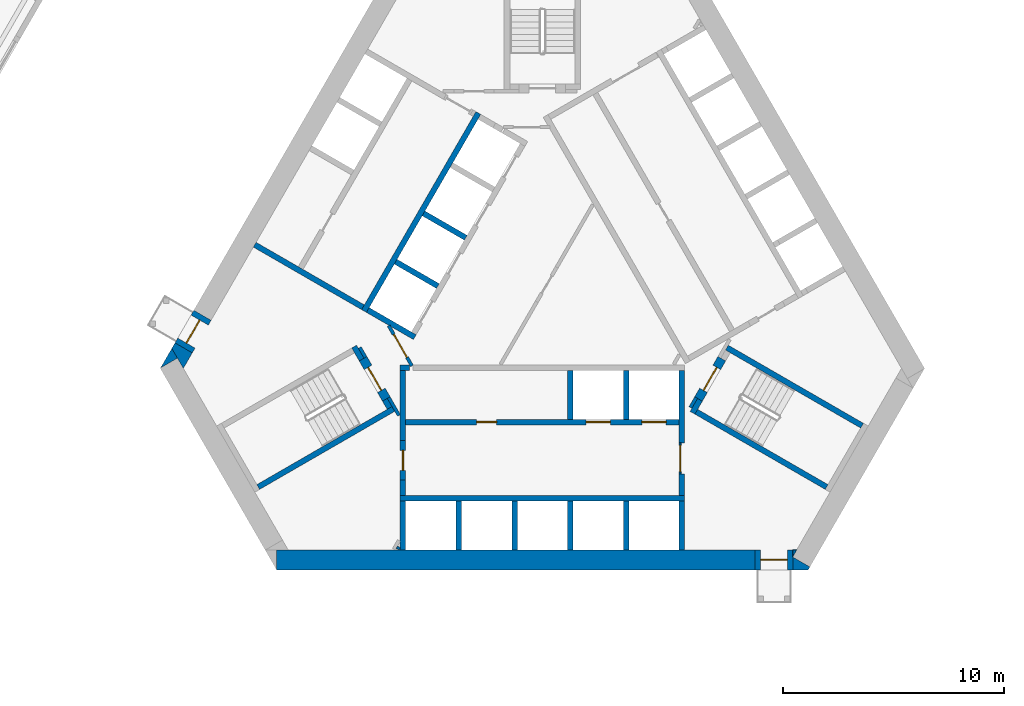
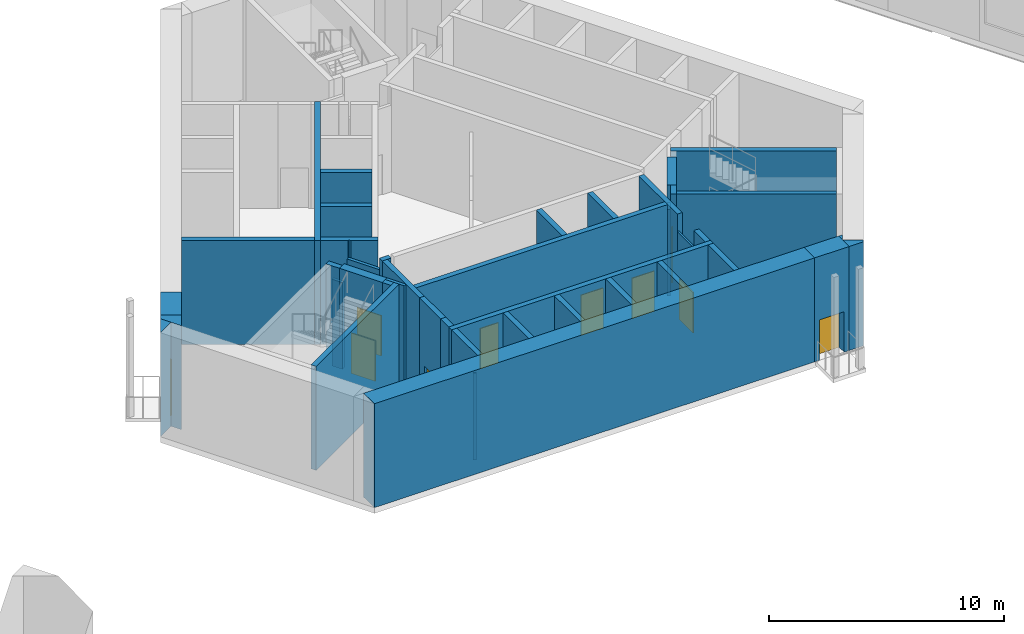
# One storey, part 12 of 35: 42 walls, 10 doors, 10 openings.
"""IFC4 building model written with IfcOpenShell, lengths in metres."""

import ifcopenshell
import ifcopenshell.guid

model = None  # the IFC model being written
_history = None  # IfcOwnerHistory: only IFC2X3 demands one
_inside = {}  # id of a spatial element -> (the spatial element, [elements in it])
_under = {}  # id of a project, library or spatial element -> (it, [spatial elements below it])
_declared = {}  # id of a project -> (the project, [libraries it declares])
_typed = {}  # id of a type object -> (the type object, [elements of that type])
_made_of = {}  # id of a material, layer set ... -> (it, [elements and type objects made of it])


def new_model(schema):
    """Start an empty IFC model of exactly this schema.

    Asked for "IFC4X3", IfcOpenShell would pick the latest addendum, in which some entities
    have other attributes; the version numbers below select the first issue.
    IFC2X3 requires an IfcOwnerHistory on every rooted entity: one is made here for all.
    """
    global model, _history
    if schema == "IFC4X3":
        model = ifcopenshell.file(schema_version=(4, 3, 0, 0))
    else:
        model = ifcopenshell.file(schema=schema)
    _inside.clear()
    _under.clear()
    _declared.clear()
    _typed.clear()
    _made_of.clear()
    _history = None
    if model.schema == "IFC2X3":
        org = make("IfcOrganization", Name="unknown")
        user = make(
            "IfcPersonAndOrganization",
            ThePerson=make("IfcPerson", FamilyName="unknown"),
            TheOrganization=org,
        )
        app = make(
            "IfcApplication",
            ApplicationDeveloper=org,
            Version="unknown",
            ApplicationFullName="unknown",
            ApplicationIdentifier="unknown",
        )
        _history = make(
            "IfcOwnerHistory",
            OwningUser=user,
            OwningApplication=app,
            ChangeAction="ADDED",
            CreationDate=0,
        )
    return model


def make(cls, **values):
    """One entity of the class cls with the attributes given. An attribute that is None is left unset."""
    return model.create_entity(
        cls, **{name: value for name, value in values.items() if value is not None}
    )


def rooted(cls, **values):
    """An entity with a GlobalId (a new one), such as an element, a storey or a relation."""
    return make(cls, GlobalId=ifcopenshell.guid.new(), OwnerHistory=_history, **values)


def si_unit(unit_type, name, prefix=None):
    """IfcSIUnit, for example si_unit("LENGTHUNIT", "METRE", prefix="MILLI")."""
    return make("IfcSIUnit", UnitType=unit_type, Prefix=prefix, Name=name)


def assignment(units):
    """IfcUnitAssignment: the units of a project."""
    return None if units is None else make("IfcUnitAssignment", Units=units)


def point(xyz):
    """IfcCartesianPoint."""
    return None if xyz is None else make("IfcCartesianPoint", Coordinates=xyz)


def direction(xyz):
    """IfcDirection."""
    return None if xyz is None else make("IfcDirection", DirectionRatios=xyz)


def frame(location, z_axis=None, x_axis=None):
    """IfcAxis2Placement3D, a coordinate frame: its origin and axes. An axis left out is left unset."""
    return make(
        "IfcAxis2Placement3D",
        Location=point(location),
        Axis=direction(z_axis),
        RefDirection=direction(x_axis),
    )


def frame_2d(location, x_axis=None):
    """IfcAxis2Placement2D, a coordinate frame in the plane: its origin and x axis."""
    return make(
        "IfcAxis2Placement2D", Location=point(location), RefDirection=direction(x_axis)
    )


def origin():
    """The frame at (0, 0, 0) with its axes left unset."""
    return frame((0.0, 0.0, 0.0))


def place(relative_to, where):
    """IfcLocalPlacement: puts the frame where relative to a parent placement (None: the world)."""
    return make(
        "IfcLocalPlacement", PlacementRelTo=relative_to, RelativePlacement=where
    )


def context(
    kind, dimensions, precision=None, world=None, true_north=None, identifier=None
):
    """IfcGeometricRepresentationContext, for example the 3D "Model" context."""
    return make(
        "IfcGeometricRepresentationContext",
        ContextIdentifier=identifier,
        ContextType=kind,
        CoordinateSpaceDimension=dimensions,
        Precision=precision,
        WorldCoordinateSystem=world,
        TrueNorth=true_north,
    )


def subcontext(parent, identifier, kind, view, scale=None):
    """IfcGeometricRepresentationSubContext, for example "Body" below "Model"."""
    return make(
        "IfcGeometricRepresentationSubContext",
        ContextIdentifier=identifier,
        ContextType=kind,
        ParentContext=parent,
        TargetScale=scale,
        TargetView=view,
    )


def project(units=None, contexts=None):
    """IfcProject with its units and contexts."""
    return rooted(
        "IfcProject",
        Name="project",
        RepresentationContexts=contexts,
        UnitsInContext=assignment(units),
    )


def spatial(cls, under=None, at=None, **own):
    """A site, building, storey or space (cls), placed at a placement, below another one or the project."""
    s = rooted(cls, ObjectPlacement=at, **own)
    if under is not None:
        _under.setdefault(under.id(), (under, []))[1].append(s)
    return s


def polyline(points):
    """IfcPolyline through the points."""
    return make("IfcPolyline", Points=[point(p) for p in points])


def profile(cls, at=None, kind="AREA", **sizes):
    """A parametric profile (cls). Its sizes go by their IFC names, for example OverallWidth=200.0."""
    return make(cls, ProfileType=kind, Position=at, **sizes)


def rectangle(**sizes):
    """IfcRectangleProfileDef."""
    return profile("IfcRectangleProfileDef", **sizes)


def outline(outer, holes=None, kind="AREA"):
    """IfcArbitraryClosedProfileDef: a profile drawn as a closed curve; with holes, ...WithVoids."""
    if holes is None:
        return make("IfcArbitraryClosedProfileDef", ProfileType=kind, OuterCurve=outer)
    return make(
        "IfcArbitraryProfileDefWithVoids",
        ProfileType=kind,
        OuterCurve=outer,
        InnerCurves=holes,
    )


def extrude(swept, where, along, depth):
    """IfcExtrudedAreaSolid: the profile swept, set in the frame where, extruded along a direction by depth."""
    return make(
        "IfcExtrudedAreaSolid",
        SweptArea=swept,
        Position=where,
        ExtrudedDirection=direction(along),
        Depth=depth,
    )


def shape(context_of_items, identifier, shape_type, items):
    """IfcShapeRepresentation: the items that make up one representation, for example the "Body"."""
    return make(
        "IfcShapeRepresentation",
        ContextOfItems=context_of_items,
        RepresentationIdentifier=identifier,
        RepresentationType=shape_type,
        Items=items,
    )


def material(Name=None, Category=None):
    """IfcMaterial."""
    return make("IfcMaterial", Name=Name, Category=Category)


def layer(
    of_material, thickness, ventilated=None, Name=None, Category=None, Priority=None
):
    """IfcMaterialLayer: one layer of a wall or slab, of a material (None: an air gap)."""
    return make(
        "IfcMaterialLayer",
        Material=of_material,
        LayerThickness=thickness,
        IsVentilated=ventilated,
        Name=Name,
        Category=Category,
        Priority=Priority,
    )


def layer_set(layers, Name=None):
    """IfcMaterialLayerSet."""
    return make("IfcMaterialLayerSet", MaterialLayers=layers, LayerSetName=Name)


def made_of(thing, what):
    """Note that an element or type object is made of a material, layer set ...; save() writes the relation."""
    if what is not None:
        _made_of.setdefault(what.id(), (what, []))[1].append(thing)
    return thing


def type_object(cls, material=None, **own):
    """A type object (cls), such as IfcWallType, which elements share."""
    return made_of(rooted(cls, **own), material)


def element(
    cls,
    number,
    at=None,
    inside=None,
    cuts=None,
    type_object=None,
    material=None,
    context=None,
    identifier="Body",
    shape_type=None,
    held_by="IfcProductDefinitionShape",
    body=None,
    shapes=None,
    **own,
):
    """One element of the class cls, such as IfcWall. Its Tag is "e" and its number.

    at: its placement. inside: the storey or other place that contains it. cuts: it is an
    opening in that element (IfcRelVoidsElement). A single representation is given by context,
    identifier, shape_type and body (its items); several are given by shapes. held_by: the class
    of the entity that holds the representations. save() writes the other relations.
    """
    e = rooted(cls, Tag="e%d" % number, ObjectPlacement=at, **own)
    if body is not None:
        shapes = [shape(context, identifier, shape_type, body)]
    if shapes is not None:
        e.Representation = make(held_by, Representations=shapes)
    if inside is not None:
        _inside.setdefault(inside.id(), (inside, []))[1].append(e)
    if cuts is not None:
        rooted(
            "IfcRelVoidsElement", RelatingBuildingElement=cuts, RelatedOpeningElement=e
        )
    if type_object is not None:
        _typed.setdefault(type_object.id(), (type_object, []))[1].append(e)
    return made_of(e, material)


def fill(opening, filler):
    """IfcRelFillsElement: the door or window that sits in an opening."""
    return rooted(
        "IfcRelFillsElement",
        RelatingOpeningElement=opening,
        RelatedBuildingElement=filler,
    )


def aggregate(whole, parts):
    """IfcRelAggregates: a whole, such as a stair, and the parts it consists of."""
    return rooted("IfcRelAggregates", RelatingObject=whole, RelatedObjects=parts)


def save(model, path):
    """Write the relations noted so far, then the file.

    IfcRelAggregates (storeys below a building ...), IfcRelContainedInSpatialStructure (elements
    in a storey), IfcRelDefinesByType, IfcRelAssociatesMaterial and IfcRelDeclares: one each for
    every whole, place, type object, material and project.
    """
    for whole, parts in _under.values():
        aggregate(whole, parts)
    for where, things in _inside.values():
        rooted(
            "IfcRelContainedInSpatialStructure",
            RelatedElements=things,
            RelatingStructure=where,
        )
    for kind, things in _typed.values():
        rooted("IfcRelDefinesByType", RelatedObjects=things, RelatingType=kind)
    for what, things in _made_of.values():
        rooted("IfcRelAssociatesMaterial", RelatedObjects=things, RelatingMaterial=what)
    for by, libraries in _declared.values():
        rooted("IfcRelDeclares", RelatingContext=by, RelatedDefinitions=libraries)
    model.write(path)


model = new_model("IFC4")

# Units and contexts
model_context = context("Model", 3, precision=1e-05, world=origin(), true_north=direction((0.0, 1.0)))
body_context = subcontext(model_context, "Body", "Model", "MODEL_VIEW")
ifc_project = project(units=[si_unit("LENGTHUNIT", "METRE"), si_unit("AREAUNIT", "SQUARE_METRE"), si_unit("VOLUMEUNIT", "CUBIC_METRE"), si_unit("PLANEANGLEUNIT", "RADIAN"), si_unit("MASSUNIT", "GRAM", prefix="KILO")], contexts=[model_context])

# Site, building, storey
site_placement = place(None, origin())
site = spatial("IfcSite", under=ifc_project, at=site_placement, CompositionType="ELEMENT")
building_placement = place(site_placement, origin())
building = spatial("IfcBuilding", under=site, at=building_placement, Name="Mestral Congress Tower", CompositionType="ELEMENT")
storey_placement = place(building_placement, frame((0.0, 0.0, 6.0)))
storey = spatial("IfcBuildingStorey", under=building, at=storey_placement, Name="L01", CompositionType="ELEMENT", Elevation=6.0)

# Walls
ifc_material_1 = material(Name="Fire-rated board partition")
ifc_layer_1 = layer(ifc_material_1, 0.14990234375)
ifc_layer_set_1 = layer_set([ifc_layer_1], Name="Fire-rated board partition")
wall_type_1 = type_object("IfcWallType", Name="Core partition 150", PredefinedType="PARTITIONING", material=ifc_layer_set_1)
wall_1_placement = place(storey_placement, frame((-6.534423828125, -12.068115234375, 0.0), z_axis=(0.0, 0.0, 1.0), x_axis=(0.500240224089, 0.865886665912, 0.0)))
element("IfcWall", 1, at=wall_1_placement, inside=storey, type_object=wall_type_1, Name="L01 core wall", PredefinedType="PARTITIONING", context=body_context, shape_type="SweptSolid", body=[
    extrude(rectangle(XDim=0.10888671875, YDim=0.14990234375, at=frame_2d((0.054443359375, 0.0))), origin(), (0.0, 0.0, 1.0), 4.5),
])
for number, where, z_axis, x_axis, name in (
    (2, (-8.251953125, -2.958251953125, 0.0), (0.0, 0.0, 1.0), (0.500174715838, -0.865924508047, 0.0), "L01 core wall"),
    (3, (6.94482421875, -5.22216796875, 0.0), (0.0, 0.0, 1.0), (-0.499818422106, -0.866130212453, 0.0), "L01 core wall"),
):
    element("IfcWall", number, at=place(storey_placement, frame(where, z_axis=z_axis, x_axis=x_axis)), inside=storey, type_object=wall_type_1, Name=name, PredefinedType="PARTITIONING", context=body_context, shape_type="SweptSolid", body=[
        extrude(rectangle(XDim=0.513916015625, YDim=0.14990234375, at=frame_2d((0.2568359375, 0.0))), origin(), (0.0, 0.0, 1.0), 4.5),
    ])

# Wall, opening, door
wall_2_placement = place(storey_placement, frame((-5.89501953125, -3.789794921875, 0.0), z_axis=(0.0, 0.0, 1.0), x_axis=(-0.49994051562, 0.866059744384, 0.0)))
wall_2 = element("IfcWall", 4, at=wall_2_placement, inside=storey, type_object=wall_type_1, Name="L01 door wall", PredefinedType="PARTITIONING", context=body_context, shape_type="SweptSolid", body=[
    extrude(rectangle(XDim=2.099853515625, YDim=0.14990234375, at=frame_2d((1.0498046875, 0.0))), origin(), (0.0, 0.0, 1.0), 4.5),
])
opening_1_placement = place(wall_2_placement, frame((0.449951171875, 0.0, 0.0)))
opening_1 = element("IfcOpeningElement", 5, at=opening_1_placement, cuts=wall_2, Name="Opening CD3-FF", PredefinedType="OPENING", context=body_context, shape_type="SweptSolid", body=[
    extrude(rectangle(XDim=1.199951171875, YDim=2.10009765625, at=frame_2d((0.60009765625, 1.050048828125))), frame((0.0, 0.0849609375, 0.0), z_axis=(0.0, -1.0, 0.0), x_axis=(1.0, 0.0, 0.0)), (0.0, 0.0, 1.0), 0.169921875),
])
ifc_material_2 = material(Name="Fire-rated steel door set", Category="steel")
door_type_1 = type_object("IfcDoorType", Name="Core door CD 1200x2100", OperationType="SINGLE_SWING_LEFT", PredefinedType="DOOR", material=ifc_material_2)
door_1_placement = place(opening_1_placement, origin())
door_1 = element("IfcDoor", 6, at=door_1_placement, inside=storey, type_object=door_type_1, Name="Door CD3-FF", OperationType="SINGLE_SWING_LEFT", OverallHeight=2.10009765625, OverallWidth=1.199951171875, PredefinedType="DOOR", context=body_context, shape_type="SweptSolid", body=[
    extrude(rectangle(XDim=1.199951171875, YDim=2.10009765625, at=frame_2d((0.60009765625, 1.050048828125))), frame((0.0, 0.02490234375, 0.0), z_axis=(0.0, -1.0, 0.0), x_axis=(1.0, 0.0, 0.0)), (0.0, 0.0, 1.0), 0.050048828125),
])
fill(opening_1, door_1)

ifc_layer_2 = layer(ifc_material_1, 0.090087890625)
ifc_layer_set_2 = layer_set([ifc_layer_2], Name="Fire-rated board partition")
wall_type_2 = type_object("IfcWallType", Name="Core partition 150 door-wall 90", PredefinedType="PARTITIONING", material=ifc_layer_set_2)
wall_3_placement = place(storey_placement, frame((6.219970703125, -7.266357421875, 0.0), z_axis=(0.0, 0.0, 1.0), x_axis=(0.0, -1.0, 0.0)))
wall_3 = element("IfcWall", 7, at=wall_3_placement, inside=storey, type_object=wall_type_2, Name="L01 door wall", PredefinedType="PARTITIONING", context=body_context, shape_type="SweptSolid", body=[
    extrude(rectangle(XDim=1.400146484375, YDim=0.090087890625, at=frame_2d((0.7001953125, 0.0))), origin(), (0.0, 0.0, 1.0), 4.5),
])
opening_2_placement = place(wall_3_placement, frame((0.10009765625, 0.0, 0.0)))
opening_2 = element("IfcOpeningElement", 8, at=opening_2_placement, cuts=wall_3, Name="Opening LB0-WL1", PredefinedType="OPENING", context=body_context, shape_type="SweptSolid", body=[
    extrude(rectangle(XDim=1.199951171875, YDim=2.10009765625, at=frame_2d((0.60009765625, 1.050048828125))), frame((0.0, 0.054931640625, 0.0), z_axis=(0.0, -1.0, 0.0), x_axis=(1.0, 0.0, 0.0)), (0.0, 0.0, 1.0), 0.110107421875),
])
door_type_2 = type_object("IfcDoorType", Name="Core door LB 1200x2100", OperationType="SINGLE_SWING_LEFT", PredefinedType="DOOR", material=ifc_material_2)
door_2_placement = place(opening_2_placement, origin())
door_2 = element("IfcDoor", 9, at=door_2_placement, inside=storey, type_object=door_type_2, Name="Door LB0-WL1", OperationType="SINGLE_SWING_LEFT", OverallHeight=2.10009765625, OverallWidth=1.199951171875, PredefinedType="DOOR", context=body_context, shape_type="SweptSolid", body=[
    extrude(rectangle(XDim=1.199951171875, YDim=2.10009765625, at=frame_2d((0.60009765625, 1.050048828125))), frame((0.0, 0.02490234375, 0.0), z_axis=(0.0, -1.0, 0.0), x_axis=(1.0, 0.0, 0.0)), (0.0, 0.0, 1.0), 0.050048828125),
])
fill(opening_2, door_2)

# Walls
ifc_material_3 = material(Name="Concrete C60/75", Category="concrete")
ifc_layer_3 = layer(ifc_material_3, 0.89990234375)
ifc_layer_set_3 = layer_set([ifc_layer_3], Name="Concrete C60/75")
wall_type_3 = type_object("IfcWallType", Name="Core wall RC 900", PredefinedType="SOLIDWALL", material=ifc_layer_set_3)
placement = place(storey_placement, origin())
element("IfcWall", 10, at=placement, inside=storey, type_object=wall_type_3, Name="L01 core wall", PredefinedType="SOLIDWALL", context=body_context, shape_type="SweptSolid", body=[
    extrude(outline(polyline([(12.0087890625, -13.0), (11.31201171875, -13.0), (11.31201171875, -12.425048828125), (12.08349609375, -12.87060546875), (12.0087890625, -13.0)])), origin(), (0.0, 0.0, 1.0), 5.39990234375),
])
element("IfcWall", 11, at=placement, inside=storey, type_object=wall_type_3, Name="L01 core wall", PredefinedType="SOLIDWALL", context=body_context, shape_type="SweptSolid", body=[
    extrude(outline(polyline([(11.4892578125, -12.10009765625), (11.31201171875, -12.4072265625), (11.31201171875, -12.10009765625), (11.4892578125, -12.10009765625)])), origin(), (0.0, 0.0, 1.0), 5.39990234375),
])
wall_6_placement = place(storey_placement, frame((-12.0185546875, -12.550048828125, 0.0), z_axis=(0.0, 0.0, 1.0), x_axis=(1.0, 0.0, 0.0)))
element("IfcWall", 12, at=wall_6_placement, inside=storey, type_object=wall_type_3, Name="L01 core wall", PredefinedType="SOLIDWALL", context=body_context, shape_type="SweptSolid", body=[
    extrude(rectangle(XDim=21.63037109375, YDim=0.89990234375, at=frame_2d((10.815185546875, 0.0))), origin(), (0.0, 0.0, 1.0), 5.39990234375),
])
element("IfcWall", 13, at=placement, inside=storey, type_object=wall_type_3, Name="L01 core wall", PredefinedType="SOLIDWALL", context=body_context, shape_type="SweptSolid", body=[
    extrude(outline(polyline([(-16.4892578125, -3.43994140625), (-17.251220703125, -3.8798828125), (-16.7431640625, -3.0), (-16.4892578125, -3.43994140625)])), origin(), (0.0, 0.0, 1.0), 5.39990234375),
])
element("IfcWall", 14, at=placement, inside=storey, type_object=wall_type_3, Name="L01 core wall", PredefinedType="SOLIDWALL", context=body_context, shape_type="SweptSolid", body=[
    extrude(outline(polyline([(-15.81982421875, -3.20068359375), (-16.223388671875, -3.89990234375), (-16.7431640625, -3.0), (-16.599365234375, -2.750732421875), (-15.81982421875, -3.20068359375)])), origin(), (0.0, 0.0, 1.0), 5.39990234375),
])

# Wall, opening, door
wall_9_placement = place(storey_placement, frame((11.311767578125, -12.550048828125, 0.0), z_axis=(0.0, 0.0, 1.0), x_axis=(-1.0, 0.0, 0.0)))
wall_9 = element("IfcWall", 15, at=wall_9_placement, inside=storey, type_object=wall_type_3, Name="L01 door wall", PredefinedType="SOLIDWALL", context=body_context, shape_type="SweptSolid", body=[
    extrude(rectangle(XDim=1.699951171875, YDim=0.89990234375, at=frame_2d((0.85009765625, 0.0))), origin(), (0.0, 0.0, 1.0), 5.39990234375),
])
opening_3_placement = place(wall_9_placement, frame((0.25, 0.0, 0.0)))
opening_3 = element("IfcOpeningElement", 16, at=opening_3_placement, cuts=wall_9, Name="Opening XD1", PredefinedType="OPENING", context=body_context, shape_type="SweptSolid", body=[
    extrude(rectangle(XDim=1.199951171875, YDim=2.10009765625, at=frame_2d((0.60009765625, 1.050048828125))), frame((0.0, 0.4599609375, 0.0), z_axis=(0.0, -1.0, 0.0), x_axis=(1.0, 0.0, 0.0)), (0.0, 0.0, 1.0), 0.919921875),
])
door_type_3 = type_object("IfcDoorType", Name="Core door XD 1200x2100", OperationType="SINGLE_SWING_LEFT", PredefinedType="DOOR", material=ifc_material_2)
door_3_placement = place(opening_3_placement, origin())
door_3 = element("IfcDoor", 17, at=door_3_placement, inside=storey, type_object=door_type_3, Name="Door XD1", OperationType="SINGLE_SWING_LEFT", OverallHeight=2.10009765625, OverallWidth=1.199951171875, PredefinedType="DOOR", context=body_context, shape_type="SweptSolid", body=[
    extrude(rectangle(XDim=1.199951171875, YDim=2.10009765625, at=frame_2d((0.60009765625, 1.050048828125))), frame((0.0, 0.02490234375, 0.0), z_axis=(0.0, -1.0, 0.0), x_axis=(1.0, 0.0, 0.0)), (0.0, 0.0, 1.0), 0.050048828125),
])
fill(opening_3, door_3)

wall_10_placement = place(storey_placement, frame((-16.20947265625, -2.9755859375, 0.0), z_axis=(0.0, 0.0, 1.0), x_axis=(0.499954529098, 0.86605165483, 0.0)))
wall_10 = element("IfcWall", 18, at=wall_10_placement, inside=storey, type_object=wall_type_3, Name="L01 door wall", PredefinedType="SOLIDWALL", context=body_context, shape_type="SweptSolid", body=[
    extrude(rectangle(XDim=1.699951171875, YDim=0.89990234375, at=frame_2d((0.85009765625, 0.0))), origin(), (0.0, 0.0, 1.0), 5.39990234375),
])
opening_4_placement = place(wall_10_placement, frame((0.25, 0.0, 0.0)))
opening_4 = element("IfcOpeningElement", 19, at=opening_4_placement, cuts=wall_10, Name="Opening XD3", PredefinedType="OPENING", context=body_context, shape_type="SweptSolid", body=[
    extrude(rectangle(XDim=1.199951171875, YDim=2.10009765625, at=frame_2d((0.60009765625, 1.050048828125))), frame((0.0, 0.4599609375, 0.0), z_axis=(0.0, -1.0, 0.0), x_axis=(1.0, 0.0, 0.0)), (0.0, 0.0, 1.0), 0.919921875),
])
door_4_placement = place(opening_4_placement, origin())
door_4 = element("IfcDoor", 20, at=door_4_placement, inside=storey, type_object=door_type_3, Name="Door XD3", OperationType="SINGLE_SWING_LEFT", OverallHeight=2.10009765625, OverallWidth=1.199951171875, PredefinedType="DOOR", context=body_context, shape_type="SweptSolid", body=[
    extrude(rectangle(XDim=1.199951171875, YDim=2.10009765625, at=frame_2d((0.60009765625, 1.050048828125))), frame((0.0, 0.02490234375, 0.0), z_axis=(0.0, -1.0, 0.0), x_axis=(1.0, 0.0, 0.0)), (0.0, 0.0, 1.0), 0.050048828125),
])
fill(opening_4, door_4)

# Walls
ifc_layer_4 = layer(ifc_material_3, 0.25)
ifc_layer_set_4 = layer_set([ifc_layer_4], Name="Concrete C60/75")
wall_type_4 = type_object("IfcWallType", Name="Shaft wall RC 250", PredefinedType="SOLIDWALL", material=ifc_layer_set_4)
wall_11_placement = place(storey_placement, frame((-6.425048828125, -9.77490234375, 0.0), z_axis=(0.0, 0.0, 1.0), x_axis=(1.0, 0.0, 0.0)))
element("IfcWall", 21, at=wall_11_placement, inside=storey, type_object=wall_type_4, Name="L01 core wall", PredefinedType="SOLIDWALL", context=body_context, shape_type="SweptSolid", body=[
    extrude(rectangle(XDim=12.85009765625, YDim=0.25, at=frame_2d((6.425048828125, 0.0))), origin(), (0.0, 0.0, 1.0), 5.39990234375),
])
wall_12_placement = place(storey_placement, frame((-6.300048828125, -9.89990234375, 0.0), z_axis=(0.0, 0.0, 1.0), x_axis=(0.0, -1.0, 0.0)))
element("IfcWall", 22, at=wall_12_placement, inside=storey, type_object=wall_type_4, Name="L01 core wall", PredefinedType="SOLIDWALL", context=body_context, shape_type="SweptSolid", body=[
    extrude(rectangle(XDim=2.2001953125, YDim=0.25, at=frame_2d((1.10009765625, 0.0))), origin(), (0.0, 0.0, 1.0), 5.39990234375),
])
wall_13_placement = place(storey_placement, frame((-6.300048828125, -9.64990234375, 0.0), z_axis=(0.0, 0.0, 1.0), x_axis=(0.0, 1.0, 0.0)))
element("IfcWall", 23, at=wall_13_placement, inside=storey, type_object=wall_type_4, Name="L01 core wall", PredefinedType="SOLIDWALL", context=body_context, shape_type="SweptSolid", body=[
    extrude(rectangle(XDim=0.6953125, YDim=0.25, at=frame_2d((0.34765625, 0.0))), origin(), (0.0, 0.0, 1.0), 5.39990234375),
])
wall_14_placement = place(storey_placement, frame((-6.425048828125, -3.875, 0.0), z_axis=(0.0, 0.0, 1.0), x_axis=(1.0, 0.0, 0.0)))
element("IfcWall", 24, at=wall_14_placement, inside=storey, type_object=wall_type_4, Name="L01 core wall", PredefinedType="SOLIDWALL", context=body_context, shape_type="SweptSolid", body=[
    extrude(rectangle(XDim=0.427978515625, YDim=0.25, at=frame_2d((0.2138671875, 0.0))), origin(), (0.0, 0.0, 1.0), 5.39990234375),
])
wall_15_placement = place(storey_placement, frame((6.300048828125, -7.27001953125, 0.0), z_axis=(0.0, 0.0, 1.0), x_axis=(0.0, 1.0, 0.0)))
element("IfcWall", 25, at=wall_15_placement, inside=storey, type_object=wall_type_4, Name="L01 core wall", PredefinedType="SOLIDWALL", context=body_context, shape_type="SweptSolid", body=[
    extrude(rectangle(XDim=3.27001953125, YDim=0.25, at=frame_2d((1.635009765625, 0.0))), origin(), (0.0, 0.0, 1.0), 5.39990234375),
])
wall_16_placement = place(storey_placement, frame((6.300048828125, -8.672119140625, 0.0), z_axis=(0.0, 0.0, 1.0), x_axis=(0.0, -1.0, 0.0)))
element("IfcWall", 26, at=wall_16_placement, inside=storey, type_object=wall_type_4, Name="L01 core wall", PredefinedType="SOLIDWALL", context=body_context, shape_type="SweptSolid", body=[
    extrude(rectangle(XDim=0.977783203125, YDim=0.25, at=frame_2d((0.48876953125, 0.0))), origin(), (0.0, 0.0, 1.0), 5.39990234375),
])
for number, where, z_axis, x_axis, name in (
    (27, (3.780029296875, -4.0, 0.0), (0.0, 0.0, 1.0), (0.0, -1.0, 0.0), "L01 core wall"),
    (28, (1.260009765625, -4.0, 0.0), (0.0, 0.0, 1.0), (0.0, -1.0, 0.0), "L01 core wall"),
):
    element("IfcWall", number, at=place(storey_placement, frame(where, z_axis=z_axis, x_axis=x_axis)), inside=storey, type_object=wall_type_4, Name=name, PredefinedType="SOLIDWALL", context=body_context, shape_type="SweptSolid", body=[
        extrude(rectangle(XDim=2.199951171875, YDim=0.25, at=frame_2d((1.10009765625, 0.0))), origin(), (0.0, 0.0, 1.0), 5.39990234375),
    ])
wall_17_placement = place(storey_placement, frame((-6.300048828125, -4.0, 0.0), z_axis=(0.0, 0.0, 1.0), x_axis=(0.0, -1.0, 0.0)))
element("IfcWall", 29, at=wall_17_placement, inside=storey, type_object=wall_type_4, Name="L01 core wall", PredefinedType="SOLIDWALL", context=body_context, shape_type="SweptSolid", body=[
    extrude(rectangle(XDim=3.154296875, YDim=0.25, at=frame_2d((1.5771484375, 0.0))), origin(), (0.0, 0.0, 1.0), 5.39990234375),
])
for number, where, z_axis, x_axis, name in (
    (30, (6.300048828125, -9.89990234375, 0.0), (0.0, 0.0, 1.0), (0.0, -1.0, 0.0), "L01 core wall"),
    (31, (3.780029296875, -9.89990234375, 0.0), (0.0, 0.0, 1.0), (0.0, -1.0, 0.0), "L01 core wall"),
    (32, (1.260009765625, -9.89990234375, 0.0), (0.0, 0.0, 1.0), (0.0, -1.0, 0.0), "L01 core wall"),
    (33, (-1.260009765625, -9.89990234375, 0.0), (0.0, 0.0, 1.0), (0.0, -1.0, 0.0), "L01 core wall"),
    (34, (-3.780029296875, -9.89990234375, 0.0), (0.0, 0.0, 1.0), (0.0, -1.0, 0.0), "L01 core wall"),
):
    element("IfcWall", number, at=place(storey_placement, frame(where, z_axis=z_axis, x_axis=x_axis)), inside=storey, type_object=wall_type_4, Name=name, PredefinedType="SOLIDWALL", context=body_context, shape_type="SweptSolid", body=[
        extrude(rectangle(XDim=2.2001953125, YDim=0.25, at=frame_2d((1.10009765625, 0.0))), origin(), (0.0, 0.0, 1.0), 5.39990234375),
    ])
wall_18_placement = place(storey_placement, frame((-8.06005859375, -1.310546875, 0.0), z_axis=(0.0, 0.0, 1.0), x_axis=(0.50000273126, 0.866023826885, 0.0)))
element("IfcWall", 35, at=wall_18_placement, inside=storey, type_object=wall_type_4, Name="L01 core wall", PredefinedType="SOLIDWALL", context=body_context, shape_type="SweptSolid", body=[
    extrude(rectangle(XDim=10.330078125, YDim=0.25, at=frame_2d((5.1650390625, 0.0))), origin(), (0.0, 0.0, 1.0), 5.39990234375),
])
for number, where, z_axis, x_axis, name in (
    (36, (-5.369384765625, 3.10009765625, 0.0), (0.0, 0.0, 1.0), (0.866008176907, -0.50002983664, 0.0), "L01 core wall"),
    (37, (-4.72412109375, -0.182373046875, 0.0), (0.0, 0.0, 1.0), (-0.866008176907, 0.50002983664, 0.0), "L01 core wall"),
):
    element("IfcWall", number, at=place(storey_placement, frame(where, z_axis=z_axis, x_axis=x_axis)), inside=storey, type_object=wall_type_4, Name=name, PredefinedType="SOLIDWALL", context=body_context, shape_type="SweptSolid", body=[
        extrude(rectangle(XDim=2.199951171875, YDim=0.25, at=frame_2d((1.10009765625, 0.0))), origin(), (0.0, 0.0, 1.0), 5.39990234375),
    ])
element("IfcWall", 38, at=placement, inside=storey, type_object=wall_type_4, Name="L01 core wall", PredefinedType="SOLIDWALL", context=body_context, shape_type="SweptSolid", body=[
    extrude(outline(polyline([(-5.921630859375, -2.256591796875), (-5.921630859375, -2.256591796875), (-5.705078125, -2.381591796875), (-5.830078125, -2.597900390625), (-6.829345703125, -2.02099609375), (-6.8798828125, -1.93359375), (-6.8798828125, -1.93359375), (-6.930419921875, -1.962646484375), (-7.951904296875, -1.373046875), (-7.826904296875, -1.156494140625), (-5.921630859375, -2.256591796875)])), origin(), (0.0, 0.0, 1.0), 5.39990234375),
])
wall_20_placement = place(storey_placement, frame((-8.10595703125, -1.139892578125, 0.0), z_axis=(0.0, 0.0, 1.0), x_axis=(-0.866000643155, 0.500042884217, 0.0)))
element("IfcWall", 39, at=wall_20_placement, inside=storey, type_object=wall_type_4, Name="L01 core wall", PredefinedType="SOLIDWALL", context=body_context, shape_type="SweptSolid", body=[
    extrude(rectangle(XDim=5.64990234375, YDim=0.25, at=frame_2d((2.824951171875, 0.0))), origin(), (0.0, 0.0, 1.0), 5.39990234375),
])

# Wall, openings, doors
wall_21_placement = place(storey_placement, frame((-6.175048828125, -6.324951171875, 0.0), z_axis=(0.0, 0.0, 1.0), x_axis=(1.0, 0.0, 0.0)))
wall_21 = element("IfcWall", 40, at=wall_21_placement, inside=storey, type_object=wall_type_4, Name="L01 door wall", PredefinedType="SOLIDWALL", context=body_context, shape_type="SweptSolid", body=[
    extrude(rectangle(XDim=12.35009765625, YDim=0.25, at=frame_2d((6.175048828125, 0.0))), origin(), (0.0, 0.0, 1.0), 5.39990234375),
])
opening_5_placement = place(wall_21_placement, frame((3.205078125, 0.0, 0.0)))
opening_5 = element("IfcOpeningElement", 41, at=opening_5_placement, cuts=wall_21, Name="Opening SR-SOB1", PredefinedType="OPENING", context=body_context, shape_type="SweptSolid", body=[
    extrude(rectangle(XDim=0.89990234375, YDim=2.10009765625, at=frame_2d((0.449951171875, 1.050048828125))), frame((0.0, 0.135009765625, 0.0), z_axis=(0.0, -1.0, 0.0), x_axis=(1.0, 0.0, 0.0)), (0.0, 0.0, 1.0), 0.27001953125),
])
opening_6_placement = place(wall_21_placement, frame((8.14501953125, 0.0, 0.0)))
opening_6 = element("IfcOpeningElement", 42, at=opening_6_placement, cuts=wall_21, Name="Opening LD-SOB4", PredefinedType="OPENING", context=body_context, shape_type="SweptSolid", body=[
    extrude(rectangle(XDim=1.10009765625, YDim=2.10009765625, at=frame_2d((0.550048828125, 1.050048828125))), frame((0.0, 0.135009765625, 0.0), z_axis=(0.0, -1.0, 0.0), x_axis=(1.0, 0.0, 0.0)), (0.0, 0.0, 1.0), 0.27001953125),
])
opening_7_placement = place(wall_21_placement, frame((10.6650390625, 0.0, 0.0)))
opening_7 = element("IfcOpeningElement", 43, at=opening_7_placement, cuts=wall_21, Name="Opening LD-SOB5", PredefinedType="OPENING", context=body_context, shape_type="SweptSolid", body=[
    extrude(rectangle(XDim=1.10009765625, YDim=2.10009765625, at=frame_2d((0.550048828125, 1.050048828125))), frame((0.0, 0.135009765625, 0.0), z_axis=(0.0, -1.0, 0.0), x_axis=(1.0, 0.0, 0.0)), (0.0, 0.0, 1.0), 0.27001953125),
])
door_type_4 = type_object("IfcDoorType", Name="Core door LD 1100x2100", OperationType="DOUBLE_DOOR_SLIDING", PredefinedType="DOOR", material=ifc_material_2)
door_5_placement = place(opening_6_placement, origin())
door_5 = element("IfcDoor", 44, at=door_5_placement, inside=storey, type_object=door_type_4, Name="Door LD-SOB4", OperationType="DOUBLE_DOOR_SLIDING", OverallHeight=2.10009765625, OverallWidth=1.10009765625, PredefinedType="DOOR", context=body_context, shape_type="SweptSolid", body=[
    extrude(rectangle(XDim=1.10009765625, YDim=2.10009765625, at=frame_2d((0.550048828125, 1.050048828125))), frame((0.0, 0.02490234375, 0.0), z_axis=(0.0, -1.0, 0.0), x_axis=(1.0, 0.0, 0.0)), (0.0, 0.0, 1.0), 0.050048828125),
])
fill(opening_6, door_5)
door_6_placement = place(opening_7_placement, origin())
door_6 = element("IfcDoor", 45, at=door_6_placement, inside=storey, type_object=door_type_4, Name="Door LD-SOB5", OperationType="DOUBLE_DOOR_SLIDING", OverallHeight=2.10009765625, OverallWidth=1.10009765625, PredefinedType="DOOR", context=body_context, shape_type="SweptSolid", body=[
    extrude(rectangle(XDim=1.10009765625, YDim=2.10009765625, at=frame_2d((0.550048828125, 1.050048828125))), frame((0.0, 0.02490234375, 0.0), z_axis=(0.0, -1.0, 0.0), x_axis=(1.0, 0.0, 0.0)), (0.0, 0.0, 1.0), 0.050048828125),
])
fill(opening_7, door_6)
door_type_5 = type_object("IfcDoorType", Name="Core door SR 900x2100", OperationType="SINGLE_SWING_LEFT", PredefinedType="DOOR", material=ifc_material_2)
door_7_placement = place(opening_5_placement, origin())
door_7 = element("IfcDoor", 46, at=door_7_placement, inside=storey, type_object=door_type_5, Name="Door SR-SOB1", OperationType="SINGLE_SWING_LEFT", OverallHeight=2.10009765625, OverallWidth=0.89990234375, PredefinedType="DOOR", context=body_context, shape_type="SweptSolid", body=[
    extrude(rectangle(XDim=0.89990234375, YDim=2.10009765625, at=frame_2d((0.449951171875, 1.050048828125))), frame((0.0, 0.02490234375, 0.0), z_axis=(0.0, -1.0, 0.0), x_axis=(1.0, 0.0, 0.0)), (0.0, 0.0, 1.0), 0.050048828125),
])
fill(opening_5, door_7)

# Wall, opening, door
wall_22_placement = place(storey_placement, frame((-6.300048828125, -7.154296875, 0.0), z_axis=(0.0, 0.0, 1.0), x_axis=(0.0, -1.0, 0.0)))
wall_22 = element("IfcWall", 47, at=wall_22_placement, inside=storey, type_object=wall_type_4, Name="L01 door wall", PredefinedType="SOLIDWALL", context=body_context, shape_type="SweptSolid", body=[
    extrude(rectangle(XDim=1.800048828125, YDim=0.25, at=frame_2d((0.89990234375, 0.0))), origin(), (0.0, 0.0, 1.0), 5.39990234375),
])
opening_8_placement = place(wall_22_placement, frame((0.449951171875, 0.0, 0.0)))
opening_8 = element("IfcOpeningElement", 48, at=opening_8_placement, cuts=wall_22, Name="Opening TD3", PredefinedType="OPENING", context=body_context, shape_type="SweptSolid", body=[
    extrude(rectangle(XDim=0.89990234375, YDim=2.10009765625, at=frame_2d((0.449951171875, 1.050048828125))), frame((0.0, 0.135009765625, 0.0), z_axis=(0.0, -1.0, 0.0), x_axis=(1.0, 0.0, 0.0)), (0.0, 0.0, 1.0), 0.27001953125),
])
door_8_placement = place(opening_8_placement, origin())
door_8 = element("IfcDoor", 49, at=door_8_placement, inside=storey, type_object=door_type_5, Name="Door TD3", OperationType="SINGLE_SWING_LEFT", OverallHeight=2.10009765625, OverallWidth=0.89990234375, PredefinedType="DOOR", context=body_context, shape_type="SweptSolid", body=[
    extrude(rectangle(XDim=0.89990234375, YDim=2.10009765625, at=frame_2d((0.449951171875, 1.050048828125))), frame((0.0, 0.02490234375, 0.0), z_axis=(0.0, -1.0, 0.0), x_axis=(1.0, 0.0, 0.0)), (0.0, 0.0, 1.0), 0.050048828125),
])
fill(opening_8, door_8)

# Walls
ifc_layer_5 = layer(ifc_material_3, 0.14990234375)
ifc_layer_set_5 = layer_set([ifc_layer_5], Name="Concrete C60/75")
wall_type_5 = type_object("IfcWallType", Name="Shaft wall RC 250 door-wall 150", PredefinedType="SOLIDWALL", material=ifc_layer_set_5)
wall_23_placement = place(storey_placement, frame((-6.48046875, -6.026611328125, 0.0), z_axis=(0.0, 0.0, 1.0), x_axis=(-0.499927229454, 0.866067413802, 0.0)))
element("IfcWall", 50, at=wall_23_placement, inside=storey, type_object=wall_type_5, Name="L01 core wall", PredefinedType="PARTITIONING", context=body_context, shape_type="SweptSolid", body=[
    extrude(rectangle(XDim=0.928955078125, YDim=0.14990234375, at=frame_2d((0.46435546875, 0.0))), origin(), (0.0, 0.0, 1.0), 5.39990234375),
])
ifc_layer_6 = layer(ifc_material_3, 0.25)
ifc_layer_set_6 = layer_set([ifc_layer_6], Name="Concrete C60/75")
wall_type_6 = type_object("IfcWallType", Name="Stair wall RC 250", PredefinedType="SOLIDWALL", material=ifc_layer_set_6)
wall_24_placement = place(storey_placement, frame((12.83984375, -9.2607421875, 0.0), z_axis=(0.0, 0.0, 1.0), x_axis=(-0.866013990052, 0.500019768644, 0.0)))
element("IfcWall", 51, at=wall_24_placement, inside=storey, type_object=wall_type_6, Name="L01 core wall", PredefinedType="SOLIDWALL", context=body_context, shape_type="SweptSolid", body=[
    extrude(rectangle(XDim=6.800048828125, YDim=0.25, at=frame_2d((3.39990234375, 0.0))), origin(), (0.0, 0.0, 1.0), 5.39990234375),
])
wall_25_placement = place(storey_placement, frame((6.780029296875, -5.906494140625, 0.0), z_axis=(0.0, 0.0, 1.0), x_axis=(0.500223362819, 0.865896406789, 0.0)))
element("IfcWall", 52, at=wall_25_placement, inside=storey, type_object=wall_type_6, Name="L01 core wall", PredefinedType="SOLIDWALL", context=body_context, shape_type="SweptSolid", body=[
    extrude(rectangle(XDim=0.675048828125, YDim=0.25, at=frame_2d((0.33740234375, 0.0))), origin(), (0.0, 0.0, 1.0), 5.39990234375),
])
wall_26_placement = place(storey_placement, frame((8.33447265625, -2.96435546875, 0.0), z_axis=(0.0, 0.0, 1.0), x_axis=(0.866016039709, -0.500016218704, 0.0)))
element("IfcWall", 53, at=wall_26_placement, inside=storey, type_object=wall_type_6, Name="L01 core wall", PredefinedType="SOLIDWALL", context=body_context, shape_type="SweptSolid", body=[
    extrude(rectangle(XDim=7.050048828125, YDim=0.25, at=frame_2d((3.52490234375, 0.0))), origin(), (0.0, 0.0, 1.0), 5.39990234375),
])
wall_27_placement = place(storey_placement, frame((-8.167724609375, -3.503173828125, 0.0), z_axis=(0.0, 0.0, 1.0), x_axis=(-0.499952099219, 0.866053057547, 0.0)))
element("IfcWall", 54, at=wall_27_placement, inside=storey, type_object=wall_type_6, Name="L01 core wall", PredefinedType="SOLIDWALL", context=body_context, shape_type="SweptSolid", body=[
    extrude(rectangle(XDim=0.6748046875, YDim=0.25, at=frame_2d((0.33740234375, 0.0))), origin(), (0.0, 0.0, 1.0), 5.39990234375),
])
wall_28_placement = place(storey_placement, frame((-12.83984375, -9.2607421875, 0.0), z_axis=(0.0, 0.0, 1.0), x_axis=(0.866016039709, 0.500016218704, 0.0)))
element("IfcWall", 55, at=wall_28_placement, inside=storey, type_object=wall_type_6, Name="L01 core wall", PredefinedType="SOLIDWALL", context=body_context, shape_type="SweptSolid", body=[
    extrude(rectangle(XDim=7.050048828125, YDim=0.25, at=frame_2d((3.52490234375, 0.0))), origin(), (0.0, 0.0, 1.0), 5.39990234375),
])
wall_29_placement = place(storey_placement, frame((-6.905029296875, -5.68994140625, 0.0), z_axis=(0.0, 0.0, 1.0), x_axis=(-0.500402024738, 0.865793170242, 0.0)))
element("IfcWall", 56, at=wall_29_placement, inside=storey, type_object=wall_type_6, Name="L01 core wall", PredefinedType="SOLIDWALL", context=body_context, shape_type="SweptSolid", body=[
    extrude(rectangle(XDim=0.425048828125, YDim=0.25, at=frame_2d((0.21240234375, 0.0))), origin(), (0.0, 0.0, 1.0), 5.39990234375),
])

# Wall, opening, door
ifc_layer_7 = layer(ifc_material_3, 0.39990234375)
ifc_layer_set_7 = layer_set([ifc_layer_7], Name="Concrete C60/75")
wall_type_7 = type_object("IfcWallType", Name="Stair wall RC 250 door-wall 400", PredefinedType="SOLIDWALL", material=ifc_layer_set_7)
wall_30_placement = place(storey_placement, frame((7.052734375, -5.2841796875, 0.0), z_axis=(0.0, 0.0, 1.0), x_axis=(0.500078061341, 0.865980330357, 0.0)))
wall_30 = element("IfcWall", 57, at=wall_30_placement, inside=storey, type_object=wall_type_7, Name="L01 door wall", PredefinedType="SOLIDWALL", context=body_context, shape_type="SweptSolid", body=[
    extrude(rectangle(XDim=2.099853515625, YDim=0.39990234375, at=frame_2d((1.0498046875, 0.0))), origin(), (0.0, 0.0, 1.0), 5.39990234375),
])
opening_9_placement = place(wall_30_placement, frame((0.449951171875, 0.0, 0.0)))
opening_9 = element("IfcOpeningElement", 58, at=opening_9_placement, cuts=wall_30, Name="Opening ST-D1", PredefinedType="OPENING", context=body_context, shape_type="SweptSolid", body=[
    extrude(rectangle(XDim=1.199951171875, YDim=2.10009765625, at=frame_2d((0.60009765625, 1.050048828125))), frame((0.0, 0.2099609375, 0.0), z_axis=(0.0, -1.0, 0.0), x_axis=(1.0, 0.0, 0.0)), (0.0, 0.0, 1.0), 0.419921875),
])
door_type_6 = type_object("IfcDoorType", Name="Core door ST 1200x2100", OperationType="SINGLE_SWING_LEFT", PredefinedType="DOOR", material=ifc_material_2)
door_9_placement = place(opening_9_placement, origin())
door_9 = element("IfcDoor", 59, at=door_9_placement, inside=storey, type_object=door_type_6, Name="Door ST-D1", OperationType="SINGLE_SWING_LEFT", OverallHeight=2.10009765625, OverallWidth=1.199951171875, PredefinedType="DOOR", context=body_context, shape_type="SweptSolid", body=[
    extrude(rectangle(XDim=1.199951171875, YDim=2.10009765625, at=frame_2d((0.60009765625, 1.050048828125))), frame((0.0, 0.02490234375, 0.0), z_axis=(0.0, -1.0, 0.0), x_axis=(1.0, 0.0, 0.0)), (0.0, 0.0, 1.0), 0.050048828125),
])
fill(opening_9, door_9)

wall_31_placement = place(storey_placement, frame((-8.102783203125, -3.4658203125, 0.0), z_axis=(0.0, 0.0, 1.0), x_axis=(0.500078061341, -0.865980330357, 0.0)))
wall_31 = element("IfcWall", 60, at=wall_31_placement, inside=storey, type_object=wall_type_7, Name="L01 door wall", PredefinedType="SOLIDWALL", context=body_context, shape_type="SweptSolid", body=[
    extrude(rectangle(XDim=2.099853515625, YDim=0.39990234375, at=frame_2d((1.0498046875, 0.0))), origin(), (0.0, 0.0, 1.0), 5.39990234375),
])
opening_10_placement = place(wall_31_placement, frame((0.449951171875, 0.0, 0.0)))
opening_10 = element("IfcOpeningElement", 61, at=opening_10_placement, cuts=wall_31, Name="Opening ST-D3", PredefinedType="OPENING", context=body_context, shape_type="SweptSolid", body=[
    extrude(rectangle(XDim=1.199951171875, YDim=2.10009765625, at=frame_2d((0.60009765625, 1.050048828125))), frame((0.0, 0.2099609375, 0.0), z_axis=(0.0, -1.0, 0.0), x_axis=(1.0, 0.0, 0.0)), (0.0, 0.0, 1.0), 0.419921875),
])
door_10_placement = place(opening_10_placement, origin())
door_10 = element("IfcDoor", 62, at=door_10_placement, inside=storey, type_object=door_type_6, Name="Door ST-D3", OperationType="SINGLE_SWING_LEFT", OverallHeight=2.10009765625, OverallWidth=1.199951171875, PredefinedType="DOOR", context=body_context, shape_type="SweptSolid", body=[
    extrude(rectangle(XDim=1.199951171875, YDim=2.10009765625, at=frame_2d((0.60009765625, 1.050048828125))), frame((0.0, 0.02490234375, 0.0), z_axis=(0.0, -1.0, 0.0), x_axis=(1.0, 0.0, 0.0)), (0.0, 0.0, 1.0), 0.050048828125),
])
fill(opening_10, door_10)

save(model, "model.ifc")
